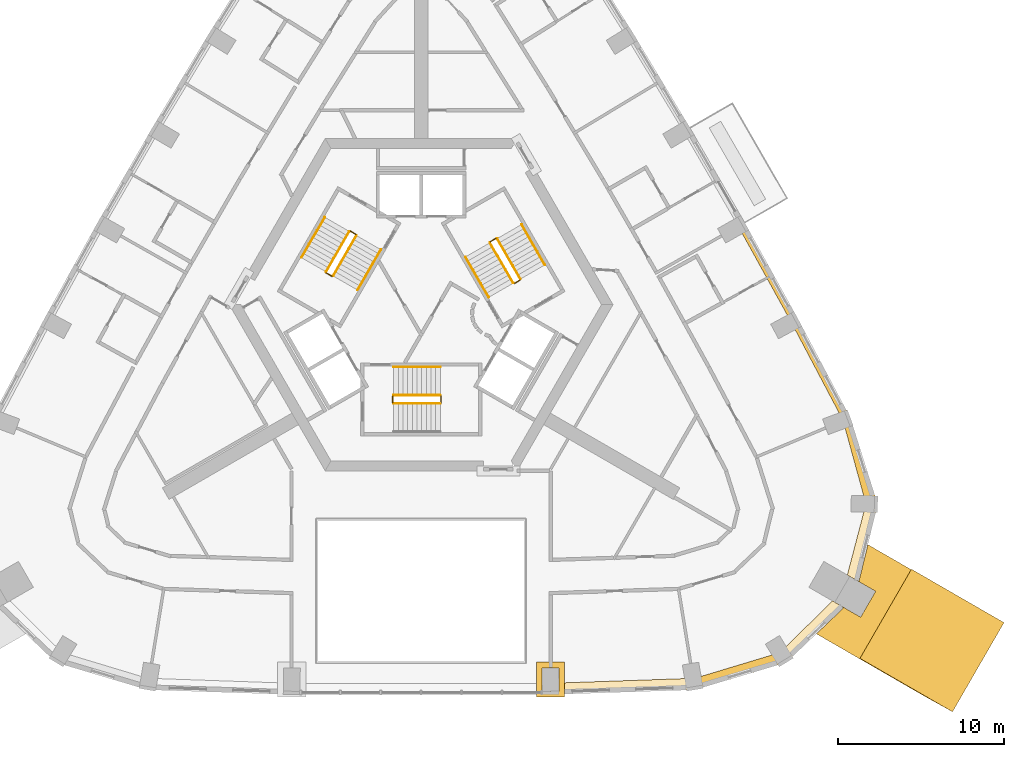
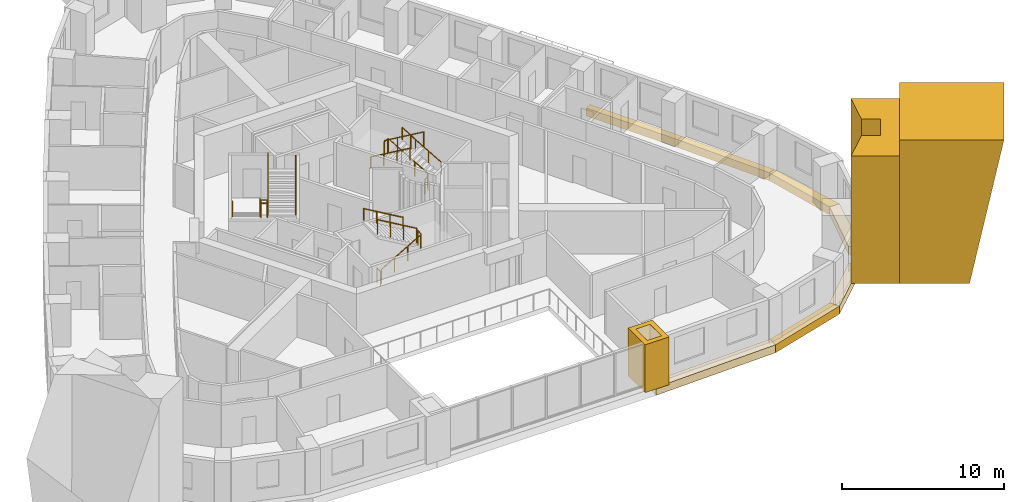
# One storey, part 12 of 13: 17 railings, 10 coverings.
"""IFC4 building model written with IfcOpenShell, lengths in metres."""

from ifc_helpers import new_model, si_unit, direction, frame, origin, origin_2d, place, context, subcontext, project, spatial, polyline, circle, outline, extrude, material, type_object, element, save


model = new_model("IFC4")

# Units and contexts
model_context = context("Model", 3, precision=1e-05, world=origin(), true_north=direction((0.0, 1.0)))
body_context = subcontext(model_context, "Body", "Model", "MODEL_VIEW")
ifc_project = project(units=[si_unit("LENGTHUNIT", "METRE"), si_unit("AREAUNIT", "SQUARE_METRE"), si_unit("VOLUMEUNIT", "CUBIC_METRE"), si_unit("PLANEANGLEUNIT", "RADIAN"), si_unit("MASSUNIT", "GRAM", prefix="KILO")], contexts=[model_context])

# Site, building, storey
site_placement = place(None, origin())
site = spatial("IfcSite", under=ifc_project, at=site_placement, CompositionType="ELEMENT")
building_placement = place(site_placement, origin())
building = spatial("IfcBuilding", under=site, at=building_placement, Name="Entoto Arch Interchange Tower", CompositionType="ELEMENT")
storey_placement = place(building_placement, frame((0.0, 0.0, 263.0)))
storey = spatial("IfcBuildingStorey", under=building, at=storey_placement, Name="L60", CompositionType="ELEMENT", Elevation=263.0)

# Coverings
ifc_material_1 = material(Name="Board-marked precast concrete C50/60", Category="concrete")
covering_type_1 = type_object("IfcCoveringType", Name="PRECAST FRAME COURSE", PredefinedType="CLADDING", material=ifc_material_1)
covering_1_placement = place(storey_placement, frame((0.0, 0.0, -0.340087890625)))
element("IfcCovering", 1, at=covering_1_placement, inside=storey, type_object=covering_type_1, Name="Corner pilaster SE L60-L62", PredefinedType="CLADDING", context=body_context, shape_type="SweptSolid", body=[
    extrude(outline(polyline([(29.493896484375, -13.448974609375), (26.39404296875, -18.819091796875), (23.7880859375, -17.31396484375), (25.446044921875, -15.73095703125), (26.4541015625, -16.31298828125), (27.35400390625, -14.7548828125), (26.345947265625, -14.173095703125), (26.887939453125, -11.945068359375), (29.493896484375, -13.448974609375)])), origin(), (0.0, 0.0, 1.0), 9.60009765625),
])
covering_2_placement = place(storey_placement, frame((26.39404296875, -18.819091796875, -0.340087890625), z_axis=(-0.499963592887, -0.866041250687, 0.002992974392), x_axis=(0.866045129588, -0.499965832349, -5.2239e-08)))
element("IfcCovering", 2, at=covering_2_placement, inside=storey, type_object=covering_type_1, Name="Corner rib SE L60-L62", PredefinedType="CLADDING", context=body_context, shape_type="SweptSolid", body=[
    extrude(outline(polyline([(0.0, 0.0), (4.3058281296349525, -8.673617379884035e-19), (6.432404363621991, 10.800097537332178), (-0.00029429888000578853, 10.800096976355148), (0.0, 0.0)])), origin(), (0.0, 0.0, -1.0), 6.199951171875),
])
covering_3_placement = place(storey_placement, frame((0.0, 0.0, -0.340087890625)))
element("IfcCovering", 3, at=covering_3_placement, inside=storey, type_object=covering_type_1, Name="Gate pier L60", PredefinedType="CLADDING", context=body_context, shape_type="SweptSolid", body=[
    extrude(outline(polyline([(6.93408203125, -19.01904296875), (8.634033203125, -19.01904296875), (8.634033203125, -21.118896484375), (6.93408203125, -21.118896484375), (6.93408203125, -19.01904296875)]), holes=[polyline([(7.283935546875, -19.368896484375), (7.283935546875, -20.76904296875), (8.283935546875, -20.76904296875), (8.283935546875, -19.368896484375), (7.283935546875, -19.368896484375)])]), origin(), (0.0, 0.0, 1.0), 3.60009765625),
])
covering_type_2 = type_object("IfcCoveringType", Name="PRECAST LEDGE COURSE", PredefinedType="CLADDING", material=ifc_material_1)
covering_4_placement = place(storey_placement, frame((0.0, 0.0, -0.93994140625)))
element("IfcCovering", 4, at=covering_4_placement, inside=storey, type_object=covering_type_2, Name="Precast course S-03 L60", PredefinedType="CLADDING", context=body_context, shape_type="SweptSolid", body=[
    extrude(outline(polyline([(16.47998046875, -19.986083984375), (16.47998046875, -20.679931640625), (7.800048828125, -20.968994140625), (7.800048828125, -20.2890625), (16.47998046875, -19.986083984375)])), origin(), (0.0, 0.0, 1.0), 0.599853515625),
])
covering_5_placement = place(storey_placement, frame((0.0, 0.0, -0.93994140625)))
element("IfcCovering", 5, at=covering_5_placement, inside=storey, type_object=covering_type_2, Name="Precast course SE-01 L60", PredefinedType="CLADDING", context=body_context, shape_type="SweptSolid", body=[
    extrude(outline(polyline([(21.60888671875, -18.43798828125), (21.97705078125, -19.0419921875), (16.47998046875, -20.679931640625), (16.47998046875, -19.986083984375), (21.60888671875, -18.43798828125)])), origin(), (0.0, 0.0, 1.0), 0.599853515625),
])
covering_6_placement = place(storey_placement, frame((0.0, 0.0, -0.93994140625)))
element("IfcCovering", 6, at=covering_6_placement, inside=storey, type_object=covering_type_2, Name="Precast course SE-02 L60", PredefinedType="CLADDING", context=body_context, shape_type="SweptSolid", body=[
    extrude(outline(polyline([(24.751953125, -15.330078125), (25.447021484375, -15.73095703125), (21.97705078125, -19.0419921875), (21.60888671875, -18.43798828125), (24.751953125, -15.330078125)])), origin(), (0.0, 0.0, 1.0), 0.599853515625),
])
covering_7_placement = place(storey_placement, frame((0.0, 0.0, -0.93994140625)))
element("IfcCovering", 7, at=covering_7_placement, inside=storey, type_object=covering_type_2, Name="Precast course SE-03 L60", PredefinedType="CLADDING", context=body_context, shape_type="SweptSolid", body=[
    extrude(outline(polyline([(26.77197265625, -9.493896484375), (27.47900390625, -9.510986328125), (26.345947265625, -14.173095703125), (25.65087890625, -13.77099609375), (26.77197265625, -9.493896484375)])), origin(), (0.0, 0.0, 1.0), 0.599853515625),
])
covering_8_placement = place(storey_placement, frame((0.0, 0.0, -0.93994140625)))
element("IfcCovering", 8, at=covering_8_placement, inside=storey, type_object=covering_type_2, Name="Precast course SE-04 L60", PredefinedType="CLADDING", context=body_context, shape_type="SweptSolid", body=[
    extrude(outline(polyline([(25.388916015625, -4.462890625), (25.83203125, -4.299072265625), (27.47900390625, -9.510986328125), (26.77197265625, -9.493896484375), (25.388916015625, -4.462890625)])), origin(), (0.0, 0.0, 1.0), 0.599853515625),
])
covering_9_placement = place(storey_placement, frame((0.0, 0.0, -0.93994140625)))
element("IfcCovering", 9, at=covering_9_placement, inside=storey, type_object=covering_type_2, Name="Precast course NE-01 L60", PredefinedType="CLADDING", context=body_context, shape_type="SweptSolid", body=[
    extrude(outline(polyline([(22.280029296875, 1.427978515625), (22.681884765625, 1.64404296875), (25.83203125, -4.299072265625), (25.388916015625, -4.462890625), (22.280029296875, 1.427978515625)])), origin(), (0.0, 0.0, 1.0), 0.599853515625),
])
covering_10_placement = place(storey_placement, frame((0.0, 0.0, -0.93994140625)))
element("IfcCovering", 10, at=covering_10_placement, inside=storey, type_object=covering_type_2, Name="Precast course NE-02 L60", PredefinedType="CLADDING", context=body_context, shape_type="SweptSolid", body=[
    extrude(outline(polyline([(19.087890625, 7.2080078125), (19.47998046875, 7.428955078125), (22.681884765625, 1.64404296875), (22.280029296875, 1.427978515625), (19.087890625, 7.2080078125)])), origin(), (0.0, 0.0, 1.0), 0.599853515625),
])

# Railings
ifc_material_2 = material(Name="Stainless steel 1.4301", Category="steel")
railing_type_1 = type_object("IfcRailingType", Name="STAIR GUARD 1100 STEEL", PredefinedType="GUARDRAIL", material=ifc_material_2)
railing_1_placement = place(storey_placement, frame((-1.64990234375, -3.449951171875, 0.16357421875)))
element("IfcRailing", 11, at=railing_1_placement, inside=storey, type_object=railing_type_1, Name="L60 ST-S stair guard 1", PredefinedType="GUARDRAIL", context=body_context, shape_type="SweptSolid", body=[
    extrude(circle(Radius=0.02392578125, at=origin_2d()), frame((0.0, 0.0, 1.076171875), z_axis=(0.863341702679, 0.0, 0.504619762213), x_axis=(0.0, 1.0, 0.0)), (0.0, 0.0, 1.0), 3.242919921875),
    extrude(circle(Radius=0.02099609375, at=origin_2d()), origin(), (0.0, 0.0, 1.0), 1.052001953125),
    extrude(circle(Radius=0.02099609375, at=origin_2d()), frame((0.933349609375, 0.0, 0.54541015625)), (0.0, 0.0, 1.0), 1.052001953125),
    extrude(circle(Radius=0.02099609375, at=origin_2d()), frame((1.866455078125, 0.0, 1.091064453125)), (0.0, 0.0, 1.0), 1.052001953125),
    extrude(circle(Radius=0.02099609375, at=origin_2d()), frame((2.7998046875, 0.0, 1.636474609375)), (0.0, 0.0, 1.0), 1.052001953125),
])
railing_2_placement = place(storey_placement, frame((1.199951171875, -3.39990234375, 1.800048828125)))
element("IfcRailing", 12, at=railing_2_placement, inside=storey, type_object=railing_type_1, Name="L60 ST-S stair guard 2", PredefinedType="GUARDRAIL", context=body_context, shape_type="SweptSolid", body=[
    extrude(circle(Radius=0.02392578125, at=origin_2d()), frame((0.0, 0.0, 1.076171875), z_axis=(0.0, 1.0, 0.0), x_axis=(-1.0, 0.0, 0.0)), (0.0, 0.0, 1.0), 0.39990234375),
    extrude(circle(Radius=0.02099609375, at=origin_2d()), origin(), (0.0, 0.0, 1.0), 1.052001953125),
    extrude(circle(Radius=0.02099609375, at=origin_2d()), frame((0.0, 0.39990234375, 0.0)), (0.0, 0.0, 1.0), 1.052001953125),
])
railing_3_placement = place(storey_placement, frame((1.14990234375, -2.949951171875, 1.963623046875)))
element("IfcRailing", 13, at=railing_3_placement, inside=storey, type_object=railing_type_1, Name="L60 ST-S stair guard 3", PredefinedType="GUARDRAIL", context=body_context, shape_type="SweptSolid", body=[
    extrude(circle(Radius=0.02392578125, at=origin_2d()), frame((0.0, 0.0, 1.076171875), z_axis=(-0.863341702679, 0.0, 0.504619762213), x_axis=(0.0, -1.0, 0.0)), (0.0, 0.0, 1.0), 3.242919921875),
    extrude(circle(Radius=0.02099609375, at=origin_2d()), origin(), (0.0, 0.0, 1.0), 1.052001953125),
    extrude(circle(Radius=0.02099609375, at=origin_2d()), frame((-0.933349609375, 0.0, 0.54541015625)), (0.0, 0.0, 1.0), 1.052001953125),
    extrude(circle(Radius=0.02099609375, at=origin_2d()), frame((-1.866455078125, 0.0, 1.091064453125)), (0.0, 0.0, 1.0), 1.052001953125),
    extrude(circle(Radius=0.02099609375, at=origin_2d()), frame((-2.7998046875, 0.0, 1.636474609375)), (0.0, 0.0, 1.0), 1.052001953125),
])
railing_4_placement = place(storey_placement, frame((-1.699951171875, -3.39990234375, 0.0)))
element("IfcRailing", 14, at=railing_4_placement, inside=storey, type_object=railing_type_1, Name="L60 ST-S stair guard 4", PredefinedType="GUARDRAIL", context=body_context, shape_type="SweptSolid", body=[
    extrude(circle(Radius=0.02392578125, at=origin_2d()), frame((0.0, 0.0, 1.076171875), z_axis=(0.0, 1.0, 0.0), x_axis=(-1.0, 0.0, 0.0)), (0.0, 0.0, 1.0), 0.39990234375),
    extrude(circle(Radius=0.02099609375, at=origin_2d()), origin(), (0.0, 0.0, 1.0), 1.052001953125),
    extrude(circle(Radius=0.02099609375, at=origin_2d()), frame((0.0, 0.39990234375, 0.0)), (0.0, 0.0, 1.0), 1.052001953125),
])
railing_5_placement = place(storey_placement, frame((5.977783203125, 4.046142578125, 0.16357421875)))
element("IfcRailing", 15, at=railing_5_placement, inside=storey, type_object=railing_type_1, Name="L60 ST-NE stair guard 1", PredefinedType="GUARDRAIL", context=body_context, shape_type="SweptSolid", body=[
    extrude(circle(Radius=0.02392578125, at=origin_2d()), frame((0.0, 0.0, 1.076171875), z_axis=(-0.431660630283, 0.747689811644, 0.504607813879), x_axis=(-0.866034573852, -0.49998411664, 0.0)), (0.0, 0.0, 1.0), 3.2431640625),
    extrude(circle(Radius=0.02099609375, at=origin_2d()), origin(), (0.0, 0.0, 1.0), 1.052001953125),
    extrude(circle(Radius=0.02099609375, at=origin_2d()), frame((-0.466552734375, 0.808349609375, 0.54541015625)), (0.0, 0.0, 1.0), 1.052001953125),
    extrude(circle(Radius=0.02099609375, at=origin_2d()), frame((-0.933349609375, 1.616455078125, 1.091064453125)), (0.0, 0.0, 1.0), 1.052001953125),
    extrude(circle(Radius=0.02099609375, at=origin_2d()), frame((-1.39990234375, 2.4248046875, 1.636474609375)), (0.0, 0.0, 1.0), 1.052001953125),
])
railing_6_placement = place(storey_placement, frame((4.509521484375, 6.4892578125, 1.800048828125)))
element("IfcRailing", 16, at=railing_6_placement, inside=storey, type_object=railing_type_1, Name="L60 ST-NE stair guard 2", PredefinedType="GUARDRAIL", context=body_context, shape_type="SweptSolid", body=[
    extrude(circle(Radius=0.02392578125, at=origin_2d()), frame((0.0, 0.0, 1.076171875), z_axis=(-0.866094119867, -0.499880961361, 0.0), x_axis=(0.499880961361, -0.866094119867, 0.0)), (0.0, 0.0, 1.0), 0.39990234375),
    extrude(circle(Radius=0.02099609375, at=origin_2d()), origin(), (0.0, 0.0, 1.0), 1.052001953125),
    extrude(circle(Radius=0.02099609375, at=origin_2d()), frame((-0.346435546875, -0.199951171875, 0.0)), (0.0, 0.0, 1.0), 1.052001953125),
])
railing_7_placement = place(storey_placement, frame((4.144775390625, 6.220947265625, 1.963623046875)))
element("IfcRailing", 17, at=railing_7_placement, inside=storey, type_object=railing_type_1, Name="L60 ST-NE stair guard 3", PredefinedType="GUARDRAIL", context=body_context, shape_type="SweptSolid", body=[
    extrude(circle(Radius=0.02392578125, at=origin_2d()), frame((0.0, 0.0, 1.076171875), z_axis=(0.431721881032, -0.747665513933, 0.504591415616), x_axis=(0.865996816683, 0.500049511043, 0.0)), (0.0, 0.0, 1.0), 3.2431640625),
    extrude(circle(Radius=0.02099609375, at=origin_2d()), origin(), (0.0, 0.0, 1.0), 1.052001953125),
    extrude(circle(Radius=0.02099609375, at=origin_2d()), frame((0.466796875, -0.808349609375, 0.54541015625)), (0.0, 0.0, 1.0), 1.052001953125),
    extrude(circle(Radius=0.02099609375, at=origin_2d()), frame((0.933349609375, -1.616455078125, 1.091064453125)), (0.0, 0.0, 1.0), 1.052001953125),
    extrude(circle(Radius=0.02099609375, at=origin_2d()), frame((1.400146484375, -2.4248046875, 1.636474609375)), (0.0, 0.0, 1.0), 1.052001953125),
])
railing_8_placement = place(storey_placement, frame((5.95947265625, 3.977783203125, 0.0)))
element("IfcRailing", 18, at=railing_8_placement, inside=storey, type_object=railing_type_1, Name="L60 ST-NE stair guard 4", PredefinedType="GUARDRAIL", context=body_context, shape_type="SweptSolid", body=[
    extrude(circle(Radius=0.02392578125, at=origin_2d()), frame((0.0, 0.0, 1.076171875), z_axis=(-0.866094119867, -0.499880961361, 0.0), x_axis=(0.499880961361, -0.866094119867, 0.0)), (0.0, 0.0, 1.0), 0.39990234375),
    extrude(circle(Radius=0.02099609375, at=origin_2d()), origin(), (0.0, 0.0, 1.0), 1.052001953125),
    extrude(circle(Radius=0.02099609375, at=origin_2d()), frame((-0.346435546875, -0.199951171875, 0.0)), (0.0, 0.0, 1.0), 1.052001953125),
])
railing_9_placement = place(storey_placement, frame((-4.327880859375, 6.904052734375, 0.16357421875)))
element("IfcRailing", 19, at=railing_9_placement, inside=storey, type_object=railing_type_1, Name="L60 ST-NW stair guard 1", PredefinedType="GUARDRAIL", context=body_context, shape_type="SweptSolid", body=[
    extrude(circle(Radius=0.02392578125, at=origin_2d()), frame((0.0, 0.0, 1.076171875), z_axis=(-0.431636334334, -0.747723004699, 0.504579412111), x_axis=(0.866056369097, -0.49994636267, 0.0)), (0.0, 0.0, 1.0), 3.2431640625),
    extrude(circle(Radius=0.02099609375, at=origin_2d()), origin(), (0.0, 0.0, 1.0), 1.052001953125),
    extrude(circle(Radius=0.02099609375, at=origin_2d()), frame((-0.466552734375, -0.808349609375, 0.54541015625)), (0.0, 0.0, 1.0), 1.052001953125),
    extrude(circle(Radius=0.02099609375, at=origin_2d()), frame((-0.933349609375, -1.61669921875, 1.091064453125)), (0.0, 0.0, 1.0), 1.052001953125),
    extrude(circle(Radius=0.02099609375, at=origin_2d()), frame((-1.39990234375, -2.425048828125, 1.636474609375)), (0.0, 0.0, 1.0), 1.052001953125),
])
railing_10_placement = place(storey_placement, frame((-5.70947265625, 4.410888671875, 1.800048828125)))
element("IfcRailing", 20, at=railing_10_placement, inside=storey, type_object=railing_type_1, Name="L60 ST-NW stair guard 2", PredefinedType="GUARDRAIL", context=body_context, shape_type="SweptSolid", body=[
    extrude(circle(Radius=0.02392578125, at=origin_2d()), frame((0.0, 0.0, 1.076171875), z_axis=(0.865829829939, -0.500338590944, 0.0), x_axis=(0.500338590944, 0.865829829939, 0.0)), (0.0, 0.0, 1.0), 0.400146484375),
    extrude(circle(Radius=0.02099609375, at=origin_2d()), origin(), (0.0, 0.0, 1.0), 1.052001953125),
    extrude(circle(Radius=0.02099609375, at=origin_2d()), frame((0.346435546875, -0.2001953125, 0.0)), (0.0, 0.0, 1.0), 1.052001953125),
])
railing_11_placement = place(storey_placement, frame((-5.294921875, 4.22900390625, 1.963623046875)))
element("IfcRailing", 21, at=railing_11_placement, inside=storey, type_object=railing_type_1, Name="L60 ST-NW stair guard 3", PredefinedType="GUARDRAIL", context=body_context, shape_type="SweptSolid", body=[
    extrude(circle(Radius=0.02392578125, at=origin_2d()), frame((0.0, 0.0, 1.076171875), z_axis=(0.431697583215, 0.747698708645, 0.504563016616), x_axis=(-0.866018616679, 0.500011755427, 0.0)), (0.0, 0.0, 1.0), 3.243408203125),
    extrude(circle(Radius=0.02099609375, at=origin_2d()), origin(), (0.0, 0.0, 1.0), 1.052001953125),
    extrude(circle(Radius=0.02099609375, at=origin_2d()), frame((0.466796875, 0.808349609375, 0.54541015625)), (0.0, 0.0, 1.0), 1.052001953125),
    extrude(circle(Radius=0.02099609375, at=origin_2d()), frame((0.933349609375, 1.61669921875, 1.091064453125)), (0.0, 0.0, 1.0), 1.052001953125),
    extrude(circle(Radius=0.02099609375, at=origin_2d()), frame((1.400146484375, 2.425048828125, 1.636474609375)), (0.0, 0.0, 1.0), 1.052001953125),
])
railing_12_placement = place(storey_placement, frame((-4.259521484375, 6.92236328125, 0.0)))
element("IfcRailing", 22, at=railing_12_placement, inside=storey, type_object=railing_type_1, Name="L60 ST-NW stair guard 4", PredefinedType="GUARDRAIL", context=body_context, shape_type="SweptSolid", body=[
    extrude(circle(Radius=0.02392578125, at=origin_2d()), frame((0.0, 0.0, 1.076171875), z_axis=(0.865829829939, -0.500338590944, 0.0), x_axis=(0.500338590944, 0.865829829939, 0.0)), (0.0, 0.0, 1.0), 0.400146484375),
    extrude(circle(Radius=0.02099609375, at=origin_2d()), origin(), (0.0, 0.0, 1.0), 1.052001953125),
    extrude(circle(Radius=0.02099609375, at=origin_2d()), frame((0.346435546875, -0.2001953125, 0.0)), (0.0, 0.0, 1.0), 1.052001953125),
])
railing_type_2 = type_object("IfcRailingType", Name="STAIR HANDRAIL 900 STEEL", PredefinedType="HANDRAIL", material=ifc_material_2)
railing_13_placement = place(storey_placement, frame((1.14990234375, -1.25, 1.963623046875)))
element("IfcRailing", 23, at=railing_13_placement, inside=storey, type_object=railing_type_2, Name="L60 ST-S stair handrail 2", PredefinedType="HANDRAIL", context=body_context, shape_type="SweptSolid", body=[
    extrude(circle(Radius=0.02392578125, at=origin_2d()), frame((0.0, 0.0, 0.8759765625), z_axis=(-0.863341702679, 0.0, 0.504619762213), x_axis=(0.0, -1.0, 0.0)), (0.0, 0.0, 1.0), 3.242919921875),
    extrude(circle(Radius=0.02099609375, at=origin_2d()), origin(), (0.0, 0.0, 1.0), 0.851806640625),
    extrude(circle(Radius=0.02099609375, at=origin_2d()), frame((-0.933349609375, 0.0, 0.54541015625)), (0.0, 0.0, 1.0), 0.851806640625),
    extrude(circle(Radius=0.02099609375, at=origin_2d()), frame((-1.866455078125, 0.0, 1.091064453125)), (0.0, 0.0, 1.0), 0.851806640625),
    extrude(circle(Radius=0.02099609375, at=origin_2d()), frame((-2.7998046875, 0.0, 1.636474609375)), (0.0, 0.0, 1.0), 0.851806640625),
])
railing_14_placement = place(storey_placement, frame((7.4501953125, 4.89599609375, 0.16357421875)))
element("IfcRailing", 24, at=railing_14_placement, inside=storey, type_object=railing_type_2, Name="L60 ST-NE stair handrail 1", PredefinedType="HANDRAIL", context=body_context, shape_type="SweptSolid", body=[
    extrude(circle(Radius=0.02392578125, at=origin_2d()), frame((0.0, 0.0, 0.8759765625), z_axis=(-0.431697583215, 0.747698708645, 0.504563016616), x_axis=(-0.866018616679, -0.500011755427, 0.0)), (0.0, 0.0, 1.0), 3.243408203125),
    extrude(circle(Radius=0.02099609375, at=origin_2d()), origin(), (0.0, 0.0, 1.0), 0.851806640625),
    extrude(circle(Radius=0.02099609375, at=origin_2d()), frame((-0.466796875, 0.808349609375, 0.54541015625)), (0.0, 0.0, 1.0), 0.851806640625),
    extrude(circle(Radius=0.02099609375, at=origin_2d()), frame((-0.933349609375, 1.61669921875, 1.091064453125)), (0.0, 0.0, 1.0), 0.851806640625),
    extrude(circle(Radius=0.02099609375, at=origin_2d()), frame((-1.400146484375, 2.425048828125, 1.636474609375)), (0.0, 0.0, 1.0), 0.851806640625),
])
railing_15_placement = place(storey_placement, frame((2.672607421875, 5.370849609375, 1.963623046875)))
element("IfcRailing", 25, at=railing_15_placement, inside=storey, type_object=railing_type_2, Name="L60 ST-NE stair handrail 2", PredefinedType="HANDRAIL", context=body_context, shape_type="SweptSolid", body=[
    extrude(circle(Radius=0.02392578125, at=origin_2d()), frame((0.0, 0.0, 0.8759765625), z_axis=(0.431660630283, -0.747689811644, 0.504607813879), x_axis=(0.866034573852, 0.49998411664, 0.0)), (0.0, 0.0, 1.0), 3.2431640625),
    extrude(circle(Radius=0.02099609375, at=origin_2d()), origin(), (0.0, 0.0, 1.0), 0.851806640625),
    extrude(circle(Radius=0.02099609375, at=origin_2d()), frame((0.466552734375, -0.808349609375, 0.54541015625)), (0.0, 0.0, 1.0), 0.851806640625),
    extrude(circle(Radius=0.02099609375, at=origin_2d()), frame((0.933349609375, -1.616455078125, 1.091064453125)), (0.0, 0.0, 1.0), 0.851806640625),
    extrude(circle(Radius=0.02099609375, at=origin_2d()), frame((1.39990234375, -2.4248046875, 1.636474609375)), (0.0, 0.0, 1.0), 0.851806640625),
])
railing_16_placement = place(storey_placement, frame((-5.800048828125, 7.75390625, 0.16357421875)))
element("IfcRailing", 26, at=railing_16_placement, inside=storey, type_object=railing_type_2, Name="L60 ST-NW stair handrail 1", PredefinedType="HANDRAIL", context=body_context, shape_type="SweptSolid", body=[
    extrude(circle(Radius=0.02392578125, at=origin_2d()), frame((0.0, 0.0, 0.8759765625), z_axis=(-0.431721881032, -0.747665513933, 0.504591415616), x_axis=(0.865996816683, -0.500049511043, 0.0)), (0.0, 0.0, 1.0), 3.2431640625),
    extrude(circle(Radius=0.02099609375, at=origin_2d()), origin(), (0.0, 0.0, 1.0), 0.851806640625),
    extrude(circle(Radius=0.02099609375, at=origin_2d()), frame((-0.466796875, -0.808349609375, 0.54541015625)), (0.0, 0.0, 1.0), 0.851806640625),
    extrude(circle(Radius=0.02099609375, at=origin_2d()), frame((-0.933349609375, -1.616455078125, 1.091064453125)), (0.0, 0.0, 1.0), 0.851806640625),
    extrude(circle(Radius=0.02099609375, at=origin_2d()), frame((-1.400146484375, -2.4248046875, 1.636474609375)), (0.0, 0.0, 1.0), 0.851806640625),
])
railing_17_placement = place(storey_placement, frame((-3.822509765625, 3.379150390625, 1.963623046875)))
element("IfcRailing", 27, at=railing_17_placement, inside=storey, type_object=railing_type_2, Name="L60 ST-NW stair handrail 2", PredefinedType="HANDRAIL", context=body_context, shape_type="SweptSolid", body=[
    extrude(circle(Radius=0.02392578125, at=origin_2d()), frame((0.0, 0.0, 0.8759765625), z_axis=(0.431660630283, 0.747689811644, 0.504607813879), x_axis=(-0.866034573852, 0.49998411664, 0.0)), (0.0, 0.0, 1.0), 3.2431640625),
    extrude(circle(Radius=0.02099609375, at=origin_2d()), origin(), (0.0, 0.0, 1.0), 0.851806640625),
    extrude(circle(Radius=0.02099609375, at=origin_2d()), frame((0.466552734375, 0.808349609375, 0.54541015625)), (0.0, 0.0, 1.0), 0.851806640625),
    extrude(circle(Radius=0.02099609375, at=origin_2d()), frame((0.933349609375, 1.616455078125, 1.091064453125)), (0.0, 0.0, 1.0), 0.851806640625),
    extrude(circle(Radius=0.02099609375, at=origin_2d()), frame((1.39990234375, 2.4248046875, 1.636474609375)), (0.0, 0.0, 1.0), 0.851806640625),
])

save(model, "model.ifc")
